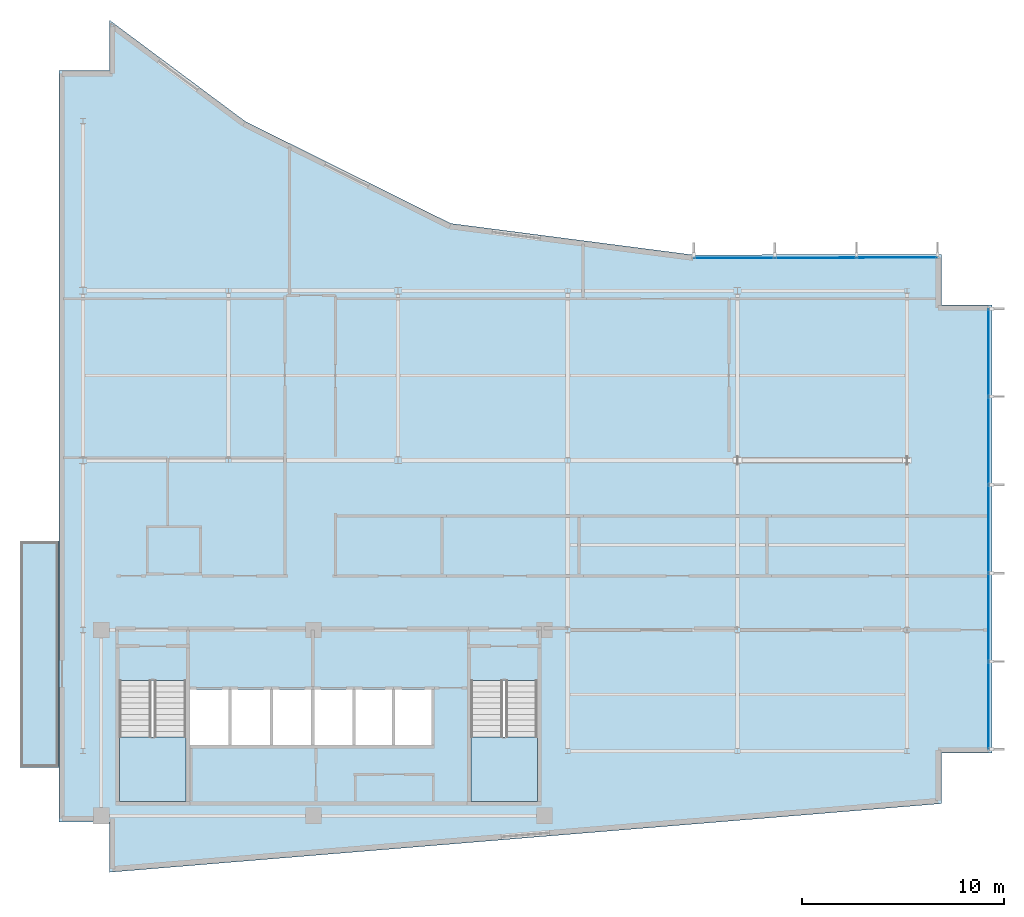
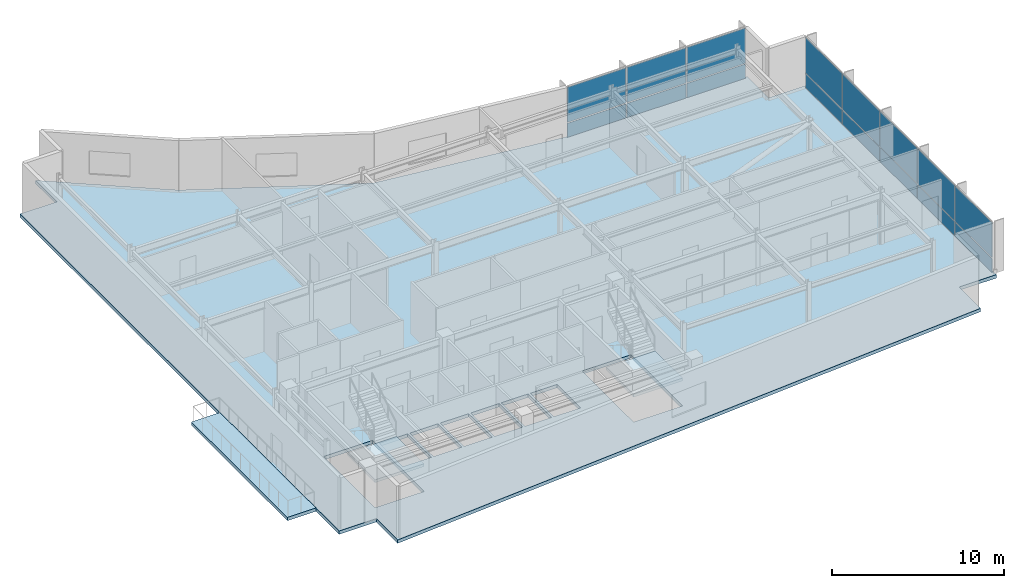
# One storey, part 12 of 19: 16 plates, 4 slabs, 4 elements without a shape of their own.
"""IFC4 building model written with IfcOpenShell, lengths in metres."""

from ifc_helpers import new_model, si_unit, direction, frame, origin, origin_2d, place, context, subcontext, project, spatial, polyline, rectangle, outline, extrude, material, layer, layer_set, type_object, element, aggregate, save


model = new_model("IFC4")

# Units and contexts
model_context = context("Model", 3, precision=1e-05, world=origin(), true_north=direction((0.0, 1.0)))
body_context = subcontext(model_context, "Body", "Model", "MODEL_VIEW")
ifc_project = project(units=[si_unit("LENGTHUNIT", "METRE"), si_unit("AREAUNIT", "SQUARE_METRE"), si_unit("VOLUMEUNIT", "CUBIC_METRE"), si_unit("PLANEANGLEUNIT", "RADIAN"), si_unit("MASSUNIT", "GRAM", prefix="KILO")], contexts=[model_context])

# Site, building, storey
site_placement = place(None, origin())
site = spatial("IfcSite", under=ifc_project, at=site_placement, CompositionType="ELEMENT")
building_placement = place(site_placement, origin())
building = spatial("IfcBuilding", under=site, at=building_placement, Name="Varnakote Quay Hospital", CompositionType="ELEMENT")
storey_placement = place(building_placement, frame((0.0, 0.0, 240.75)))
storey = spatial("IfcBuildingStorey", under=building, at=storey_placement, Name="L59", CompositionType="ELEMENT", Elevation=240.75)

# Curtain wall, plates
ifc_material_1 = material(Name="Anodised aluminium 6063-T6 Bronze", Category="aluminium")
ifc_layer_1 = layer(ifc_material_1, 0.235107421875)
ifc_layer_set_1 = layer_set([ifc_layer_1], Name="Anodised aluminium 6063-T6 Bronze")
curtain_wall_type = type_object("IfcCurtainWallType", Name="CW-SYS-5", PredefinedType="NOTDEFINED", material=ifc_layer_set_1)
curtain_wall_1_placement = place(storey_placement, origin())
curtain_wall_1 = element("IfcCurtainWall", 1, at=curtain_wall_1_placement, inside=storey, type_object=curtain_wall_type, Name="L59 Unitised Bronze Curtain Wall 1", PredefinedType="NOTDEFINED")
ifc_material_2 = material(Name="Double-glazed low-E solar glass", Category="glass")
ifc_layer_2 = layer(ifc_material_2, 0.028076171875)
ifc_layer_set_2 = layer_set([ifc_layer_2], Name="Double-glazed low-E solar glass")
plate_type = type_object("IfcPlateType", Name="CW-PNL-GLZ-28", PredefinedType="CURTAIN_PANEL", material=ifc_layer_set_2)
plate_1_placement = place(storey_placement, frame((46.0400390625, 8.26416015625, 0.06494140625), z_axis=(0.0, 0.0, 1.0), x_axis=(0.0, 1.0, 0.0)))
plate_1 = element("IfcPlate", 2, at=plate_1_placement, type_object=plate_type, Name="-5-L59-1 panel 1.1", PredefinedType="CURTAIN_PANEL", context=body_context, shape_type="SweptSolid", body=[
    extrude(rectangle(XDim=4.278564453125, YDim=0.028076171875, at=origin_2d()), origin(), (0.0, 0.0, 1.0), 1.00244140625),
])
plate_2_placement = place(storey_placement, frame((46.0400390625, 8.26416015625, 1.13232421875), z_axis=(0.0, 0.0, 1.0), x_axis=(0.0, 1.0, 0.0)))
plate_2 = element("IfcPlate", 3, at=plate_2_placement, type_object=plate_type, Name="-5-L59-1 panel 1.2", PredefinedType="CURTAIN_PANEL", context=body_context, shape_type="SweptSolid", body=[
    extrude(rectangle(XDim=4.278564453125, YDim=0.028076171875, at=origin_2d()), origin(), (0.0, 0.0, 1.0), 2.512451171875),
])
plate_3_placement = place(storey_placement, frame((46.0400390625, 12.6240234375, 0.06494140625), z_axis=(0.0, 0.0, 1.0), x_axis=(0.0, 1.0, 0.0)))
plate_3 = element("IfcPlate", 4, at=plate_3_placement, type_object=plate_type, Name="-5-L59-1 panel 2.1", PredefinedType="CURTAIN_PANEL", context=body_context, shape_type="SweptSolid", body=[
    extrude(rectangle(XDim=4.31103515625, YDim=0.028076171875, at=origin_2d()), origin(), (0.0, 0.0, 1.0), 1.00244140625),
])
plate_4_placement = place(storey_placement, frame((46.0400390625, 12.6240234375, 1.13232421875), z_axis=(0.0, 0.0, 1.0), x_axis=(0.0, 1.0, 0.0)))
plate_4 = element("IfcPlate", 5, at=plate_4_placement, type_object=plate_type, Name="-5-L59-1 panel 2.2", PredefinedType="CURTAIN_PANEL", context=body_context, shape_type="SweptSolid", body=[
    extrude(rectangle(XDim=4.31103515625, YDim=0.028076171875, at=origin_2d()), origin(), (0.0, 0.0, 1.0), 2.512451171875),
])
plate_5_placement = place(storey_placement, frame((46.0400390625, 17.0, 0.06494140625), z_axis=(0.0, 0.0, 1.0), x_axis=(0.0, 1.0, 0.0)))
plate_5 = element("IfcPlate", 6, at=plate_5_placement, type_object=plate_type, Name="-5-L59-1 panel 3.1", PredefinedType="CURTAIN_PANEL", context=body_context, shape_type="SweptSolid", body=[
    extrude(rectangle(XDim=4.31103515625, YDim=0.028076171875, at=origin_2d()), origin(), (0.0, 0.0, 1.0), 1.00244140625),
])
plate_6_placement = place(storey_placement, frame((46.0400390625, 17.0, 1.13232421875), z_axis=(0.0, 0.0, 1.0), x_axis=(0.0, 1.0, 0.0)))
plate_6 = element("IfcPlate", 7, at=plate_6_placement, type_object=plate_type, Name="-5-L59-1 panel 3.2", PredefinedType="CURTAIN_PANEL", context=body_context, shape_type="SweptSolid", body=[
    extrude(rectangle(XDim=4.31103515625, YDim=0.028076171875, at=origin_2d()), origin(), (0.0, 0.0, 1.0), 2.512451171875),
])
plate_7_placement = place(storey_placement, frame((46.0400390625, 21.3759765625, 0.06494140625), z_axis=(0.0, 0.0, 1.0), x_axis=(0.0, 1.0, 0.0)))
plate_7 = element("IfcPlate", 8, at=plate_7_placement, type_object=plate_type, Name="-5-L59-1 panel 4.1", PredefinedType="CURTAIN_PANEL", context=body_context, shape_type="SweptSolid", body=[
    extrude(rectangle(XDim=4.31103515625, YDim=0.028076171875, at=origin_2d()), origin(), (0.0, 0.0, 1.0), 1.00244140625),
])
plate_8_placement = place(storey_placement, frame((46.0400390625, 21.3759765625, 1.13232421875), z_axis=(0.0, 0.0, 1.0), x_axis=(0.0, 1.0, 0.0)))
plate_8 = element("IfcPlate", 9, at=plate_8_placement, type_object=plate_type, Name="-5-L59-1 panel 4.2", PredefinedType="CURTAIN_PANEL", context=body_context, shape_type="SweptSolid", body=[
    extrude(rectangle(XDim=4.31103515625, YDim=0.028076171875, at=origin_2d()), origin(), (0.0, 0.0, 1.0), 2.512451171875),
])
plate_9_placement = place(storey_placement, frame((46.0400390625, 25.73583984375, 0.06494140625), z_axis=(0.0, 0.0, 1.0), x_axis=(0.0, 1.0, 0.0)))
plate_9 = element("IfcPlate", 10, at=plate_9_placement, type_object=plate_type, Name="-5-L59-1 panel 5.1", PredefinedType="CURTAIN_PANEL", context=body_context, shape_type="SweptSolid", body=[
    extrude(rectangle(XDim=4.278564453125, YDim=0.028076171875, at=origin_2d()), origin(), (0.0, 0.0, 1.0), 1.00244140625),
])
plate_10_placement = place(storey_placement, frame((46.0400390625, 25.73583984375, 1.13232421875), z_axis=(0.0, 0.0, 1.0), x_axis=(0.0, 1.0, 0.0)))
plate_10 = element("IfcPlate", 11, at=plate_10_placement, type_object=plate_type, Name="-5-L59-1 panel 5.2", PredefinedType="CURTAIN_PANEL", context=body_context, shape_type="SweptSolid", body=[
    extrude(rectangle(XDim=4.278564453125, YDim=0.028076171875, at=origin_2d()), origin(), (0.0, 0.0, 1.0), 2.512451171875),
])
aggregate(curtain_wall_1, [plate_1, plate_2, plate_3, plate_4, plate_5, plate_6, plate_7, plate_8, plate_9, plate_10])

curtain_wall_2_placement = place(storey_placement, origin())
curtain_wall_2 = element("IfcCurtainWall", 12, at=curtain_wall_2_placement, inside=storey, type_object=curtain_wall_type, Name="L59 Unitised Bronze Curtain Wall 2", PredefinedType="NOTDEFINED")
plate_11_placement = place(storey_placement, frame((41.50146484375, 30.434326171875, 0.06494140625), z_axis=(0.0, 0.0, 1.0), x_axis=(-0.999996609008, -0.002604222224, 0.0)))
plate_11 = element("IfcPlate", 13, at=plate_11_placement, type_object=plate_type, Name="-5-L59-2 panel 1.1", PredefinedType="CURTAIN_PANEL", context=body_context, shape_type="SweptSolid", body=[
    extrude(rectangle(XDim=3.947265625, YDim=0.028076171875, at=origin_2d()), origin(), (0.0, 0.0, 1.0), 1.00244140625),
])
plate_12_placement = place(storey_placement, frame((41.50146484375, 30.434326171875, 1.13232421875), z_axis=(0.0, 0.0, 1.0), x_axis=(-0.999996609008, -0.002604222224, 0.0)))
plate_12 = element("IfcPlate", 14, at=plate_12_placement, type_object=plate_type, Name="-5-L59-2 panel 1.2", PredefinedType="CURTAIN_PANEL", context=body_context, shape_type="SweptSolid", body=[
    extrude(rectangle(XDim=3.947265625, YDim=0.028076171875, at=origin_2d()), origin(), (0.0, 0.0, 1.0), 2.512451171875),
])
plate_13_placement = place(storey_placement, frame((37.472900390625, 30.423828125, 0.06494140625), z_axis=(0.0, 0.0, 1.0), x_axis=(-0.999996609008, -0.002604222224, 0.0)))
plate_13 = element("IfcPlate", 15, at=plate_13_placement, type_object=plate_type, Name="-5-L59-2 panel 2.1", PredefinedType="CURTAIN_PANEL", context=body_context, shape_type="SweptSolid", body=[
    extrude(rectangle(XDim=3.979736328125, YDim=0.028076171875, at=origin_2d()), origin(), (0.0, 0.0, 1.0), 1.00244140625),
])
plate_14_placement = place(storey_placement, frame((37.472900390625, 30.423828125, 1.13232421875), z_axis=(0.0, 0.0, 1.0), x_axis=(-0.999996609008, -0.002604222224, 0.0)))
plate_14 = element("IfcPlate", 16, at=plate_14_placement, type_object=plate_type, Name="-5-L59-2 panel 2.2", PredefinedType="CURTAIN_PANEL", context=body_context, shape_type="SweptSolid", body=[
    extrude(rectangle(XDim=3.979736328125, YDim=0.028076171875, at=origin_2d()), origin(), (0.0, 0.0, 1.0), 2.512451171875),
])
plate_15_placement = place(storey_placement, frame((33.444580078125, 30.413330078125, 0.06494140625), z_axis=(0.0, 0.0, 1.0), x_axis=(-0.999996609008, -0.002604222224, 0.0)))
plate_15 = element("IfcPlate", 17, at=plate_15_placement, type_object=plate_type, Name="-5-L59-2 panel 3.1", PredefinedType="CURTAIN_PANEL", context=body_context, shape_type="SweptSolid", body=[
    extrude(rectangle(XDim=3.947265625, YDim=0.028076171875, at=origin_2d()), origin(), (0.0, 0.0, 1.0), 1.00244140625),
])
plate_16_placement = place(storey_placement, frame((33.444580078125, 30.413330078125, 1.13232421875), z_axis=(0.0, 0.0, 1.0), x_axis=(-0.999996609008, -0.002604222224, 0.0)))
plate_16 = element("IfcPlate", 18, at=plate_16_placement, type_object=plate_type, Name="-5-L59-2 panel 3.2", PredefinedType="CURTAIN_PANEL", context=body_context, shape_type="SweptSolid", body=[
    extrude(rectangle(XDim=3.947265625, YDim=0.028076171875, at=origin_2d()), origin(), (0.0, 0.0, 1.0), 2.512451171875),
])
aggregate(curtain_wall_2, [plate_11, plate_12, plate_13, plate_14, plate_15, plate_16])

# Stair, slab
ifc_material_3 = material(Name="Concrete N40 (f'c 40 MPa)", Category="concrete")
stair_type = type_object("IfcStairType", Name="STR-CORE-1580", PredefinedType="HALF_TURN_STAIR", material=ifc_material_3)
stair_1_placement = place(storey_placement, origin())
stair_1 = element("IfcStair", 19, at=stair_1_placement, inside=storey, type_object=stair_type, Name="L59 Fire-Isolated Exit Stair ST-01", PredefinedType="HALF_TURN_STAIR")
ifc_material_4 = material(Name="Concrete N40 (f'c 40 MPa)", Category="concrete")
ifc_layer_3 = layer(ifc_material_4, 0.199951171875)
ifc_layer_set_3 = layer_set([ifc_layer_3], Name="Concrete N40 (f'c 40 MPa)")
slab_type_1 = type_object("IfcSlabType", Name="SLB-STAIR-LND-200", PredefinedType="LANDING", material=ifc_layer_set_3)
slab_1_placement = place(storey_placement, frame((0.0, 0.0, 1.77490234375)))
slab_1 = element("IfcSlab", 20, at=slab_1_placement, type_object=slab_type_1, Name="ST-01 landing 1", PredefinedType="LANDING", context=body_context, shape_type="SweptSolid", body=[
    extrude(outline(polyline([(3.0, 6.699951171875), (3.0, 3.5), (6.300048828125, 3.5), (6.300048828125, 6.699951171875), (3.0, 6.699951171875)])), origin(), (0.0, 0.0, 1.0), 0.2001953125),
])
aggregate(stair_1, [slab_1])

stair_2_placement = place(storey_placement, origin())
stair_2 = element("IfcStair", 21, at=stair_2_placement, inside=storey, type_object=stair_type, Name="L59 Fire-Isolated Exit Stair ST-02", PredefinedType="HALF_TURN_STAIR")
slab_2_placement = place(storey_placement, frame((0.0, 0.0, 1.77490234375)))
slab_2 = element("IfcSlab", 22, at=slab_2_placement, type_object=slab_type_1, Name="ST-02 landing 1", PredefinedType="LANDING", context=body_context, shape_type="SweptSolid", body=[
    extrude(outline(polyline([(20.39990234375, 6.699951171875), (20.39990234375, 3.5), (23.699951171875, 3.5), (23.699951171875, 6.699951171875), (20.39990234375, 6.699951171875)])), origin(), (0.0, 0.0, 1.0), 0.2001953125),
])
aggregate(stair_2, [slab_2])

# Slabs
ifc_material_5 = material(Name="Concrete N50 (f'c 50 MPa)", Category="concrete")
ifc_layer_4 = layer(ifc_material_5, 0.239990234375)
ifc_layer_set_4 = layer_set([ifc_layer_4], Name="Concrete N50 (f'c 50 MPa)")
slab_type_2 = type_object("IfcSlabType", Name="SLB-TERR-200", PredefinedType="FLOOR", material=ifc_layer_set_4)
slab_3_placement = place(storey_placement, frame((0.0, 0.0, -0.239990234375)))
element("IfcSlab", 23, at=slab_3_placement, inside=storey, type_object=slab_type_2, Name="L59 Waterfront Healing Terrace Slab", PredefinedType="FLOOR", context=body_context, shape_type="SweptSolid", body=[
    extrude(outline(polyline([(0.00390625, 5.199951171875), (0.00390625, 16.39990234375), (-1.919921875, 16.39990234375), (-1.919921875, 5.199951171875), (0.00390625, 5.199951171875)])), origin(), (0.0, 0.0, 1.0), 0.239990234375),
])
ifc_material_6 = material(Name="Concrete N50 (f'c 50 MPa)", Category="concrete")
ifc_layer_5 = layer(ifc_material_6, 0.239990234375)
ifc_layer_set_5 = layer_set([ifc_layer_5], Name="Concrete N50 (f'c 50 MPa)")
slab_type_3 = type_object("IfcSlabType", Name="SLB-WARD-200", PredefinedType="FLOOR", material=ifc_layer_set_5)
slab_4_placement = place(storey_placement, frame((0.0, 0.0, -0.239990234375)))
element("IfcSlab", 24, at=slab_4_placement, inside=storey, type_object=slab_type_3, Name="L59 Primary Floor Slab", PredefinedType="FLOOR", context=body_context, shape_type="SweptSolid", body=[
    extrude(outline(polyline([(0.0, 2.5), (2.5, 2.5), (2.5, 0.0), (43.699951171875, 3.39990234375), (43.699951171875, 5.89990234375), (46.199951171875, 5.89990234375), (46.199951171875, 28.10009765625), (43.699951171875, 28.10009765625), (43.699951171875, 30.60009765625), (31.416015625, 30.568115234375), (19.404052734375, 32.1279296875), (9.239990234375, 37.176025390625), (2.5, 42.199951171875), (2.5, 39.699951171875), (0.0, 39.699951171875), (0.0, 2.5)]), holes=[polyline([(3.0, 3.5), (6.300048828125, 3.5), (6.300048828125, 9.49951171875), (3.0, 9.49951171875), (3.0, 3.5)]), polyline([(20.39990234375, 3.5), (23.699951171875, 3.5), (23.699951171875, 9.49951171875), (20.39990234375, 9.49951171875), (20.39990234375, 3.5)]), polyline([(6.5, 6.300048828125), (8.39990234375, 6.300048828125), (8.39990234375, 9.050048828125), (6.5, 9.050048828125), (6.5, 6.300048828125)]), polyline([(8.550048828125, 6.300048828125), (10.449951171875, 6.300048828125), (10.449951171875, 9.050048828125), (8.550048828125, 9.050048828125), (8.550048828125, 6.300048828125)]), polyline([(10.60009765625, 6.300048828125), (12.5, 6.300048828125), (12.5, 9.050048828125), (10.60009765625, 9.050048828125), (10.60009765625, 6.300048828125)]), polyline([(12.64990234375, 6.300048828125), (14.550048828125, 6.300048828125), (14.550048828125, 9.050048828125), (12.64990234375, 9.050048828125), (12.64990234375, 6.300048828125)]), polyline([(14.699951171875, 6.300048828125), (16.5, 6.300048828125), (16.5, 9.050048828125), (14.699951171875, 9.050048828125), (14.699951171875, 6.300048828125)]), polyline([(16.64990234375, 6.300048828125), (18.449951171875, 6.300048828125), (18.449951171875, 9.050048828125), (16.64990234375, 9.050048828125), (16.64990234375, 6.300048828125)])]), origin(), (0.0, 0.0, 1.0), 0.239990234375),
])

save(model, "model.ifc")
